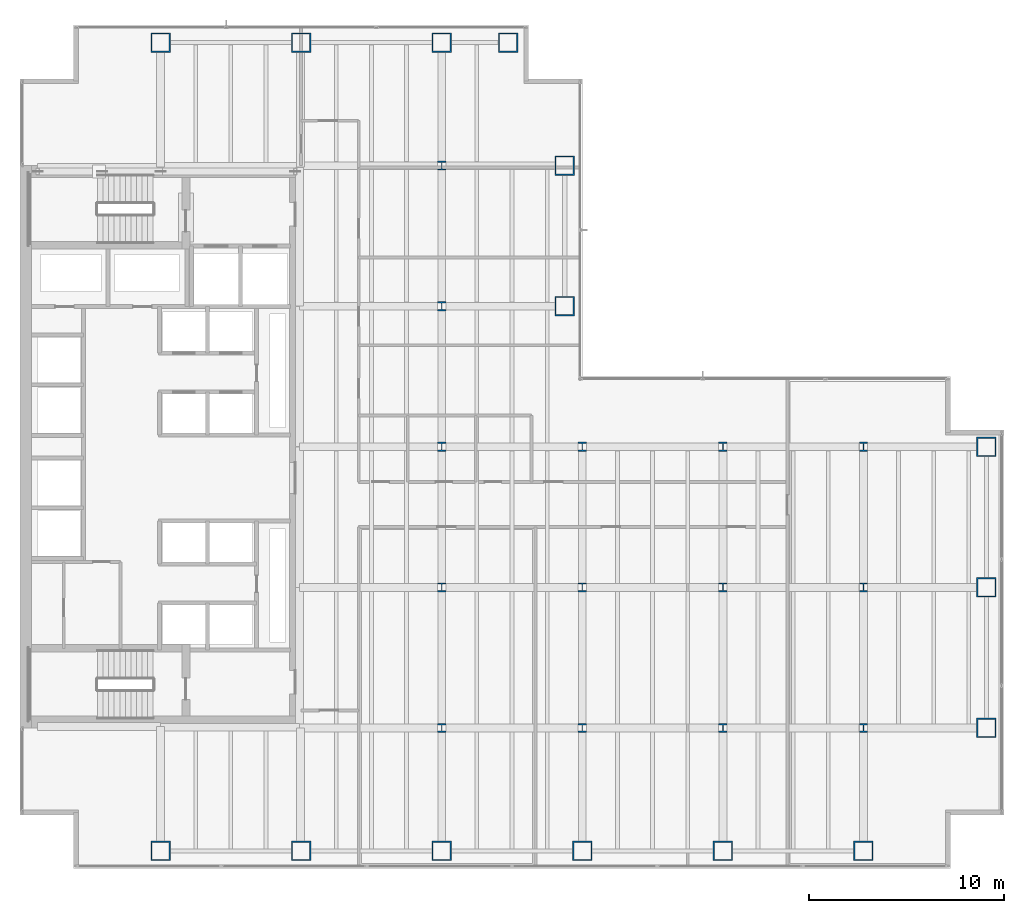
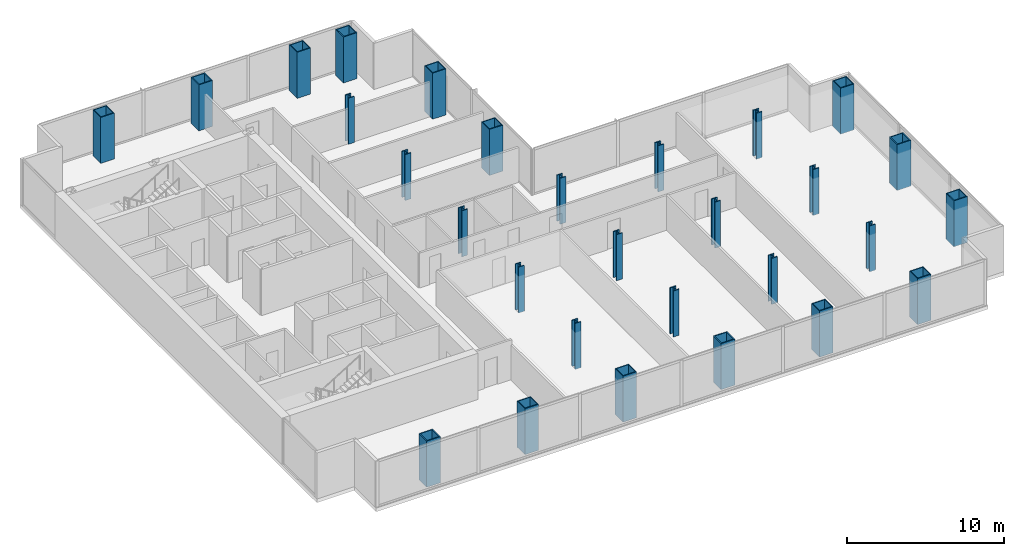
# One storey, part 1 of 24: 29 columns.
"""IFC4 building model written with IfcOpenShell, lengths in metres."""

from ifc_helpers import new_model, si_unit, direction, frame, origin, origin_2d, place, context, subcontext, project, spatial, hollow_rectangle, i_section, extrude, material, material_profile, profile_set, type_object, element, save


model = new_model("IFC4")

# Units and contexts
model_context = context("Model", 3, precision=1e-05, world=origin(), true_north=direction((0.0, 1.0)))
body_context = subcontext(model_context, "Body", "Model", "MODEL_VIEW")
ifc_project = project(units=[si_unit("LENGTHUNIT", "METRE"), si_unit("AREAUNIT", "SQUARE_METRE"), si_unit("VOLUMEUNIT", "CUBIC_METRE"), si_unit("PLANEANGLEUNIT", "RADIAN"), si_unit("MASSUNIT", "GRAM", prefix="KILO")], contexts=[model_context])

# Site, building, storey
site_placement = place(None, origin())
site = spatial("IfcSite", under=ifc_project, at=site_placement, CompositionType="ELEMENT")
building_placement = place(site_placement, origin())
building = spatial("IfcBuilding", under=site, at=building_placement, Name="Cobrela Telecom Tower", CompositionType="ELEMENT")
storey_placement = place(building_placement, frame((0.0, 0.0, 69.64990234375)))
storey = spatial("IfcBuildingStorey", under=building, at=storey_placement, Name="L17", CompositionType="ELEMENT", Elevation=69.64990234375)

# Columns
ifc_material_1 = material(Name="Steel ASTM A992 Grade 50", Category="steel")
ifc_material_profile_1 = material_profile(ifc_material_1, i_section(OverallWidth=0.422119140625, OverallDepth=0.465087890625, WebThickness=0.044921875, FlangeThickness=0.072509765625, FilletRadius=0.01806640625, at=origin_2d()), Name="W14X398")
ifc_profile_set_1 = profile_set([ifc_material_profile_1], Name="Steel ASTM A992 Grade 50")
column_type_1 = type_object("IfcColumnType", Name="COL-INT-04", PredefinedType="COLUMN", material=ifc_profile_set_1)
for number, where, z_axis, x_axis, name in (
    (1, (21.60009765625, 7.199951171875, 0.0), (0.0, 0.0, 1.0), (1.0, 0.0, 0.0), "L17 Interior Column 06"),
    (2, (21.60009765625, 14.39990234375, 0.0), (0.0, 0.0, 1.0), (1.0, 0.0, 0.0), "L17 Interior Column 07"),
    (3, (21.60009765625, 21.60009765625, 0.0), (0.0, 0.0, 1.0), (1.0, 0.0, 0.0), "L17 Interior Column 08"),
    (4, (21.60009765625, 28.800048828125, 0.0), (0.0, 0.0, 1.0), (1.0, 0.0, 0.0), "L17 Interior Column 09"),
    (5, (21.60009765625, 36.0, 0.0), (0.0, 0.0, 1.0), (1.0, 0.0, 0.0), "L17 Interior Column 10"),
    (6, (28.800048828125, 7.199951171875, 0.0), (0.0, 0.0, 1.0), (1.0, 0.0, 0.0), "L17 Interior Column 16"),
    (7, (28.800048828125, 14.39990234375, 0.0), (0.0, 0.0, 1.0), (1.0, 0.0, 0.0), "L17 Interior Column 17"),
    (8, (28.800048828125, 21.60009765625, 0.0), (0.0, 0.0, 1.0), (1.0, 0.0, 0.0), "L17 Interior Column 18"),
    (9, (36.0, 7.199951171875, 0.0), (0.0, 0.0, 1.0), (1.0, 0.0, 0.0), "L17 Interior Column 20"),
    (10, (36.0, 14.39990234375, 0.0), (0.0, 0.0, 1.0), (1.0, 0.0, 0.0), "L17 Interior Column 21"),
    (11, (36.0, 21.60009765625, 0.0), (0.0, 0.0, 1.0), (1.0, 0.0, 0.0), "L17 Interior Column 22"),
    (12, (43.199951171875, 7.199951171875, 0.0), (0.0, 0.0, 1.0), (1.0, 0.0, 0.0), "L17 Interior Column 24"),
    (13, (43.199951171875, 14.39990234375, 0.0), (0.0, 0.0, 1.0), (1.0, 0.0, 0.0), "L17 Interior Column 25"),
    (14, (43.199951171875, 21.60009765625, 0.0), (0.0, 0.0, 1.0), (1.0, 0.0, 0.0), "L17 Interior Column 26"),
):
    element("IfcColumn", number, at=place(storey_placement, frame(where, z_axis=z_axis, x_axis=x_axis)), inside=storey, type_object=column_type_1, Name=name, PredefinedType="COLUMN", context=body_context, shape_type="SweptSolid", body=[
        extrude(i_section(OverallWidth=0.422119140625, OverallDepth=0.465087890625, WebThickness=0.044921875, FlangeThickness=0.072509765625, FilletRadius=0.01806640625, at=origin_2d()), origin(), (0.0, 0.0, 1.0), 3.570068359375),
    ])
ifc_material_2 = material(Name="Steel ASTM A572 Grade 50", Category="steel")
ifc_material_profile_2 = material_profile(ifc_material_2, hollow_rectangle(XDim=1.0, YDim=1.0, WallThickness=0.06494140625, at=origin_2d()), Name="BOX 1000x1000x65")
ifc_profile_set_2 = profile_set([ifc_material_profile_2], Name="Steel ASTM A572 Grade 50")
column_type_2 = type_object("IfcColumnType", Name="COL-MEGA-03", PredefinedType="COLUMN", material=ifc_profile_set_2)
for number, where, z_axis, x_axis, name in (
    (15, (7.199951171875, 0.89990234375, 0.0), (0.0, 0.0, 1.0), (1.0, 0.0, 0.0), "L17 Perimeter Mega-Column 01"),
    (16, (7.199951171875, 42.300048828125, 0.0), (0.0, 0.0, 1.0), (1.0, 0.0, 0.0), "L17 Perimeter Mega-Column 02"),
    (17, (14.39990234375, 0.89990234375, 0.0), (0.0, 0.0, 1.0), (1.0, 0.0, 0.0), "L17 Perimeter Mega-Column 03"),
    (18, (14.39990234375, 42.300048828125, 0.0), (0.0, 0.0, 1.0), (1.0, 0.0, 0.0), "L17 Perimeter Mega-Column 04"),
    (19, (21.60009765625, 0.89990234375, 0.0), (0.0, 0.0, 1.0), (1.0, 0.0, 0.0), "L17 Perimeter Mega-Column 05"),
    (20, (21.60009765625, 42.300048828125, 0.0), (0.0, 0.0, 1.0), (1.0, 0.0, 0.0), "L17 Perimeter Mega-Column 11"),
    (21, (25.0, 42.300048828125, 0.0), (0.0, 0.0, 1.0), (1.0, 0.0, 0.0), "L17 Perimeter Mega-Column 12"),
    (22, (27.89990234375, 28.800048828125, 0.0), (0.0, 0.0, 1.0), (1.0, 0.0, 0.0), "L17 Perimeter Mega-Column 13"),
    (23, (27.89990234375, 36.0, 0.0), (0.0, 0.0, 1.0), (1.0, 0.0, 0.0), "L17 Perimeter Mega-Column 14"),
    (24, (28.800048828125, 0.89990234375, 0.0), (0.0, 0.0, 1.0), (1.0, 0.0, 0.0), "L17 Perimeter Mega-Column 15"),
    (25, (36.0, 0.89990234375, 0.0), (0.0, 0.0, 1.0), (1.0, 0.0, 0.0), "L17 Perimeter Mega-Column 19"),
    (26, (43.199951171875, 0.89990234375, 0.0), (0.0, 0.0, 1.0), (1.0, 0.0, 0.0), "L17 Perimeter Mega-Column 23"),
    (27, (49.5, 7.199951171875, 0.0), (0.0, 0.0, 1.0), (1.0, 0.0, 0.0), "L17 Perimeter Mega-Column 27"),
    (28, (49.5, 14.39990234375, 0.0), (0.0, 0.0, 1.0), (1.0, 0.0, 0.0), "L17 Perimeter Mega-Column 28"),
    (29, (49.5, 21.60009765625, 0.0), (0.0, 0.0, 1.0), (1.0, 0.0, 0.0), "L17 Perimeter Mega-Column 29"),
):
    element("IfcColumn", number, at=place(storey_placement, frame(where, z_axis=z_axis, x_axis=x_axis)), inside=storey, type_object=column_type_2, Name=name, PredefinedType="COLUMN", context=body_context, shape_type="SweptSolid", body=[
        extrude(hollow_rectangle(XDim=1.0, YDim=1.0, WallThickness=0.06494140625, at=origin_2d()), origin(), (0.0, 0.0, 1.0), 3.570068359375),
    ])

save(model, "model.ifc")
